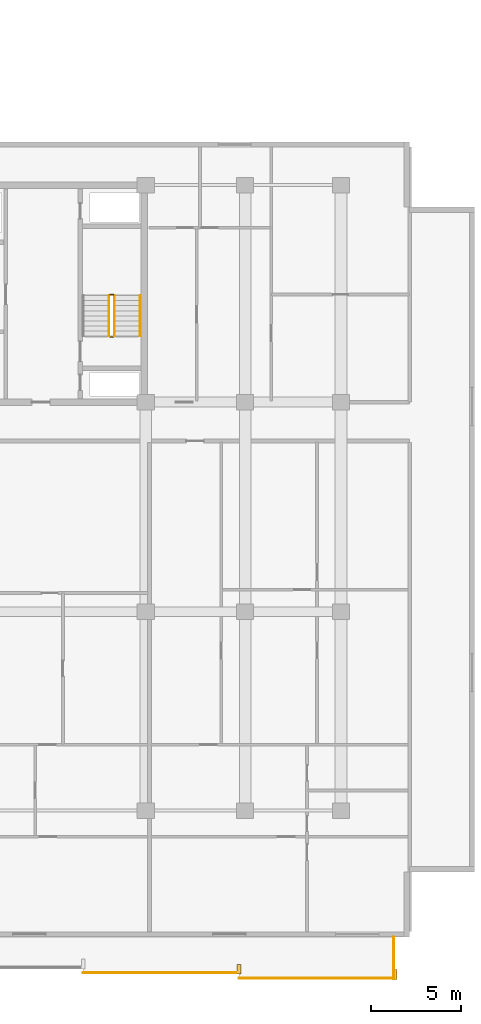
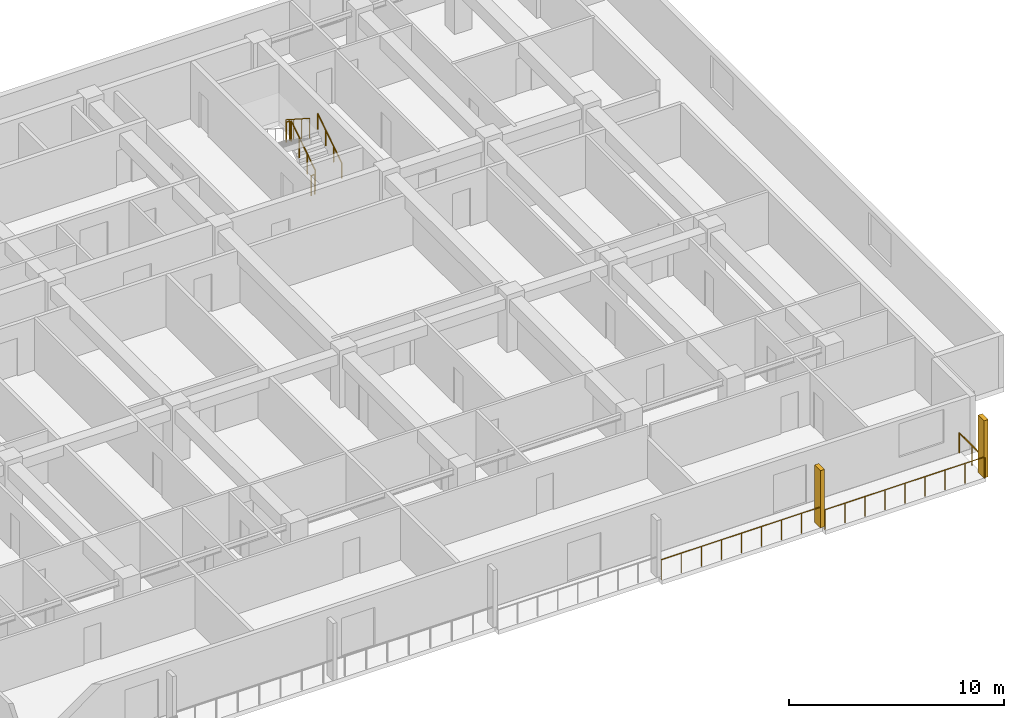
# One storey, part 21 of 23: 8 railings, 2 shading devices.
"""IFC4 building model written with IfcOpenShell, lengths in metres."""

from ifc_helpers import new_model, si_unit, direction, frame, origin, origin_2d, place, context, subcontext, project, spatial, rectangle, circle, extrude, material, type_object, element, save


model = new_model("IFC4")

# Units and contexts
model_context = context("Model", 3, precision=1e-05, world=origin(), true_north=direction((0.0, 1.0)))
body_context = subcontext(model_context, "Body", "Model", "MODEL_VIEW")
ifc_project = project(units=[si_unit("LENGTHUNIT", "METRE"), si_unit("AREAUNIT", "SQUARE_METRE"), si_unit("VOLUMEUNIT", "CUBIC_METRE"), si_unit("PLANEANGLEUNIT", "RADIAN"), si_unit("MASSUNIT", "GRAM", prefix="KILO")], contexts=[model_context])

# Site, building, storey
site_placement = place(None, origin())
site = spatial("IfcSite", under=ifc_project, at=site_placement, CompositionType="ELEMENT")
building_placement = place(site_placement, origin())
building = spatial("IfcBuilding", under=site, at=building_placement, Name="Korimba Cascade Residences", CompositionType="ELEMENT")
storey_placement = place(building_placement, frame((0.0, 0.0, 30.5)))
storey = spatial("IfcBuildingStorey", under=building, at=storey_placement, Name="L07", CompositionType="ELEMENT", Elevation=30.5)

# Railings
ifc_material_1 = material(Name="Laminated Glass and Bronze Balustrade", Category="glass")
railing_type_1 = type_object("IfcRailingType", Name="RLG-LOG-1150", PredefinedType="BALUSTRADE", material=ifc_material_1)
railing_1_placement = place(storey_placement, frame((114.642822265625, -13.169921875, 0.0)))
element("IfcRailing", 1, at=railing_1_placement, inside=storey, type_object=railing_type_1, Name="L07 Perimeter Guardrail RLG-L07-T2-LOG-05", PredefinedType="BALUSTRADE", context=body_context, shape_type="SweptSolid", body=[
    extrude(circle(Radius=0.02392578125, at=origin_2d()), frame((0.0, 0.0, 1.1259765625), z_axis=(1.0, 0.0, 0.0), x_axis=(0.0, 1.0, 0.0)), (0.0, 0.0, 1.0), 8.628662109375),
    extrude(circle(Radius=0.02099609375, at=origin_2d()), origin(), (0.0, 0.0, 1.0), 1.101806640625),
    extrude(circle(Radius=0.02099609375, at=origin_2d()), frame((1.07861328125, 0.0, 0.0)), (0.0, 0.0, 1.0), 1.101806640625),
    extrude(circle(Radius=0.02099609375, at=origin_2d()), frame((2.1572265625, 0.0, 0.0)), (0.0, 0.0, 1.0), 1.101806640625),
    extrude(circle(Radius=0.02099609375, at=origin_2d()), frame((3.23583984375, 0.0, 0.0)), (0.0, 0.0, 1.0), 1.101806640625),
    extrude(circle(Radius=0.02099609375, at=origin_2d()), frame((4.314453125, 0.0, 0.0)), (0.0, 0.0, 1.0), 1.101806640625),
    extrude(circle(Radius=0.02099609375, at=origin_2d()), frame((5.392822265625, 0.0, 0.0)), (0.0, 0.0, 1.0), 1.101806640625),
    extrude(circle(Radius=0.02099609375, at=origin_2d()), frame((6.471435546875, 0.0, 0.0)), (0.0, 0.0, 1.0), 1.101806640625),
    extrude(circle(Radius=0.02099609375, at=origin_2d()), frame((7.550048828125, 0.0, 0.0)), (0.0, 0.0, 1.0), 1.101806640625),
    extrude(circle(Radius=0.02099609375, at=origin_2d()), frame((8.628662109375, 0.0, 0.0)), (0.0, 0.0, 1.0), 1.101806640625),
])
railing_2_placement = place(storey_placement, frame((123.271484375, -13.469970703125, 0.0)))
element("IfcRailing", 2, at=railing_2_placement, inside=storey, type_object=railing_type_1, Name="L07 Perimeter Guardrail RLG-L07-T2-LOG-06", PredefinedType="BALUSTRADE", context=body_context, shape_type="SweptSolid", body=[
    extrude(circle(Radius=0.02392578125, at=origin_2d()), frame((0.0, 0.0, 1.1259765625), z_axis=(1.0, 0.0, 0.0), x_axis=(0.0, 1.0, 0.0)), (0.0, 0.0, 1.0), 8.62841796875),
    extrude(circle(Radius=0.02099609375, at=origin_2d()), origin(), (0.0, 0.0, 1.0), 1.101806640625),
    extrude(circle(Radius=0.02099609375, at=origin_2d()), frame((1.07861328125, 0.0, 0.0)), (0.0, 0.0, 1.0), 1.101806640625),
    extrude(circle(Radius=0.02099609375, at=origin_2d()), frame((2.1572265625, 0.0, 0.0)), (0.0, 0.0, 1.0), 1.101806640625),
    extrude(circle(Radius=0.02099609375, at=origin_2d()), frame((3.235595703125, 0.0, 0.0)), (0.0, 0.0, 1.0), 1.101806640625),
    extrude(circle(Radius=0.02099609375, at=origin_2d()), frame((4.314208984375, 0.0, 0.0)), (0.0, 0.0, 1.0), 1.101806640625),
    extrude(circle(Radius=0.02099609375, at=origin_2d()), frame((5.392822265625, 0.0, 0.0)), (0.0, 0.0, 1.0), 1.101806640625),
    extrude(circle(Radius=0.02099609375, at=origin_2d()), frame((6.47119140625, 0.0, 0.0)), (0.0, 0.0, 1.0), 1.101806640625),
    extrude(circle(Radius=0.02099609375, at=origin_2d()), frame((7.5498046875, 0.0, 0.0)), (0.0, 0.0, 1.0), 1.101806640625),
    extrude(circle(Radius=0.02099609375, at=origin_2d()), frame((8.62841796875, 0.0, 0.0)), (0.0, 0.0, 1.0), 1.101806640625),
])
railing_3_placement = place(storey_placement, frame((131.820068359375, -13.550048828125, 0.0)))
element("IfcRailing", 3, at=railing_3_placement, inside=storey, type_object=railing_type_1, Name="L07 Perimeter Guardrail RLG-L07-T2-LOG-07", PredefinedType="BALUSTRADE", context=body_context, shape_type="SweptSolid", body=[
    extrude(circle(Radius=0.02392578125, at=origin_2d()), frame((0.0, 0.0, 1.1259765625), z_axis=(0.0, 1.0, 0.0), x_axis=(-1.0, 0.0, 0.0)), (0.0, 0.0, 1.0), 2.35009765625),
    extrude(circle(Radius=0.02099609375, at=origin_2d()), origin(), (0.0, 0.0, 1.0), 1.101806640625),
    extrude(circle(Radius=0.02099609375, at=origin_2d()), frame((0.0, 1.175048828125, 0.0)), (0.0, 0.0, 1.0), 1.101806640625),
    extrude(circle(Radius=0.02099609375, at=origin_2d()), frame((0.0, 2.35009765625, 0.0)), (0.0, 0.0, 1.0), 1.101806640625),
])
ifc_material_2 = material(Name="Painted Steel Stairwell Guardrail", Category="steel")
railing_type_2 = type_object("IfcRailingType", Name="RLG-ST-GD1150", PredefinedType="GUARDRAIL", material=ifc_material_2)
railing_4_placement = place(storey_placement, frame((116.3701171875, 22.050048828125, 0.1806640625)))
element("IfcRailing", 4, at=railing_4_placement, inside=storey, type_object=railing_type_2, Name="L07 ST-E2 stair guard 1", PredefinedType="GUARDRAIL", context=body_context, shape_type="SweptSolid", body=[
    extrude(circle(Radius=0.02392578125, at=origin_2d()), frame((0.0, 0.0, 1.1259765625), z_axis=(0.0, 0.840436612492, 0.541909863706), x_axis=(-1.0, 0.0, 0.0)), (0.0, 0.0, 1.0), 2.665283203125),
    extrude(circle(Radius=0.02099609375, at=origin_2d()), origin(), (0.0, 0.0, 1.0), 1.101806640625),
    extrude(circle(Radius=0.02099609375, at=origin_2d()), frame((0.0, 0.74658203125, 0.4814453125)), (0.0, 0.0, 1.0), 1.101806640625),
    extrude(circle(Radius=0.02099609375, at=origin_2d()), frame((0.0, 1.493408203125, 0.962890625)), (0.0, 0.0, 1.0), 1.101806640625),
    extrude(circle(Radius=0.02099609375, at=origin_2d()), frame((0.0, 2.239990234375, 1.4443359375)), (0.0, 0.0, 1.0), 1.101806640625),
])
railing_5_placement = place(storey_placement, frame((116.320068359375, 24.340087890625, 1.625)))
element("IfcRailing", 5, at=railing_5_placement, inside=storey, type_object=railing_type_2, Name="L07 ST-E2 stair guard 2", PredefinedType="GUARDRAIL", context=body_context, shape_type="SweptSolid", body=[
    extrude(circle(Radius=0.02392578125, at=origin_2d()), frame((0.0, 0.0, 1.1259765625), z_axis=(-1.0, 0.0, 0.0), x_axis=(0.0, -1.0, 0.0)), (0.0, 0.0, 1.0), 0.199951171875),
    extrude(circle(Radius=0.02099609375, at=origin_2d()), origin(), (0.0, 0.0, 1.0), 1.101806640625),
    extrude(circle(Radius=0.02099609375, at=origin_2d()), frame((-0.199951171875, 0.0, 0.0)), (0.0, 0.0, 1.0), 1.101806640625),
])
railing_6_placement = place(storey_placement, frame((116.070068359375, 24.2900390625, 1.8056640625)))
element("IfcRailing", 6, at=railing_6_placement, inside=storey, type_object=railing_type_2, Name="L07 ST-E2 stair guard 3", PredefinedType="GUARDRAIL", context=body_context, shape_type="SweptSolid", body=[
    extrude(circle(Radius=0.02392578125, at=origin_2d()), frame((0.0, 0.0, 1.1259765625), z_axis=(0.0, -0.840436612492, 0.541909863706), x_axis=(1.0, 0.0, 0.0)), (0.0, 0.0, 1.0), 2.665283203125),
    extrude(circle(Radius=0.02099609375, at=origin_2d()), origin(), (0.0, 0.0, 1.0), 1.101806640625),
    extrude(circle(Radius=0.02099609375, at=origin_2d()), frame((0.0, -0.74658203125, 0.4814453125)), (0.0, 0.0, 1.0), 1.101806640625),
    extrude(circle(Radius=0.02099609375, at=origin_2d()), frame((0.0, -1.493408203125, 0.962890625)), (0.0, 0.0, 1.0), 1.101806640625),
    extrude(circle(Radius=0.02099609375, at=origin_2d()), frame((0.0, -2.239990234375, 1.4443359375)), (0.0, 0.0, 1.0), 1.101806640625),
])
railing_7_placement = place(storey_placement, frame((116.320068359375, 22.0, 0.0)))
element("IfcRailing", 7, at=railing_7_placement, inside=storey, type_object=railing_type_2, Name="L07 ST-E2 stair guard 4", PredefinedType="GUARDRAIL", context=body_context, shape_type="SweptSolid", body=[
    extrude(circle(Radius=0.02392578125, at=origin_2d()), frame((0.0, 0.0, 1.1259765625), z_axis=(-1.0, 0.0, 0.0), x_axis=(0.0, -1.0, 0.0)), (0.0, 0.0, 1.0), 0.199951171875),
    extrude(circle(Radius=0.02099609375, at=origin_2d()), origin(), (0.0, 0.0, 1.0), 1.101806640625),
    extrude(circle(Radius=0.02099609375, at=origin_2d()), frame((-0.199951171875, 0.0, 0.0)), (0.0, 0.0, 1.0), 1.101806640625),
])
ifc_material_3 = material(Name="Brushed Stainless Steel Handrail", Category="steel")
railing_type_3 = type_object("IfcRailingType", Name="RLG-ST-HR900", PredefinedType="HANDRAIL", material=ifc_material_3)
railing_8_placement = place(storey_placement, frame((117.7900390625, 22.050048828125, 0.364990234375)))
element("IfcRailing", 8, at=railing_8_placement, inside=storey, type_object=railing_type_3, Name="L07 ST-E2 stair handrail 1", PredefinedType="HANDRAIL", context=body_context, shape_type="SweptSolid", body=[
    extrude(circle(Radius=0.02392578125, at=origin_2d()), frame((0.0, 0.0, 0.8759765625), z_axis=(0.0, 0.840436612492, 0.541909863706), x_axis=(-1.0, 0.0, 0.0)), (0.0, 0.0, 1.0), 2.665283203125),
    extrude(circle(Radius=0.02099609375, at=origin_2d()), origin(), (0.0, 0.0, 1.0), 0.851806640625),
    extrude(circle(Radius=0.02099609375, at=origin_2d()), frame((0.0, 0.74658203125, 0.4814453125)), (0.0, 0.0, 1.0), 0.851806640625),
    extrude(circle(Radius=0.02099609375, at=origin_2d()), frame((0.0, 1.493408203125, 0.962890625)), (0.0, 0.0, 1.0), 0.851806640625),
    extrude(circle(Radius=0.02099609375, at=origin_2d()), frame((0.0, 2.239990234375, 1.4443359375)), (0.0, 0.0, 1.0), 0.851806640625),
])

# Shading devices
ifc_material_4 = material(Name="Honed Sandstone Precast Fin", Category="masonry")
shading_device_type = type_object("IfcShadingDeviceType", Name="SHD-FIN-550", PredefinedType="USERDEFINED", material=ifc_material_4)
for number, where, z_axis, x_axis, name in (
    (9, (123.271484375, -12.97509765625, 0.0), (0.0, 0.0, 1.0), (1.0, 0.0, 0.0), "L07 T2 Warm-Stone Loggia Fin 7"),
    (10, (131.89990234375, -13.27490234375, 0.0), (0.0, 0.0, 1.0), (1.0, 0.0, 0.0), "L07 T2 Warm-Stone Loggia Fin 8"),
):
    element("IfcShadingDevice", number, at=place(storey_placement, frame(where, z_axis=z_axis, x_axis=x_axis)), inside=storey, type_object=shading_device_type, Name=name, ObjectType="FIN", PredefinedType="USERDEFINED", context=body_context, shape_type="SweptSolid", body=[
        extrude(rectangle(XDim=0.219970703125, YDim=0.550048828125, at=origin_2d()), origin(), (0.0, 0.0, 1.0), 3.25),
    ])

save(model, "model.ifc")
